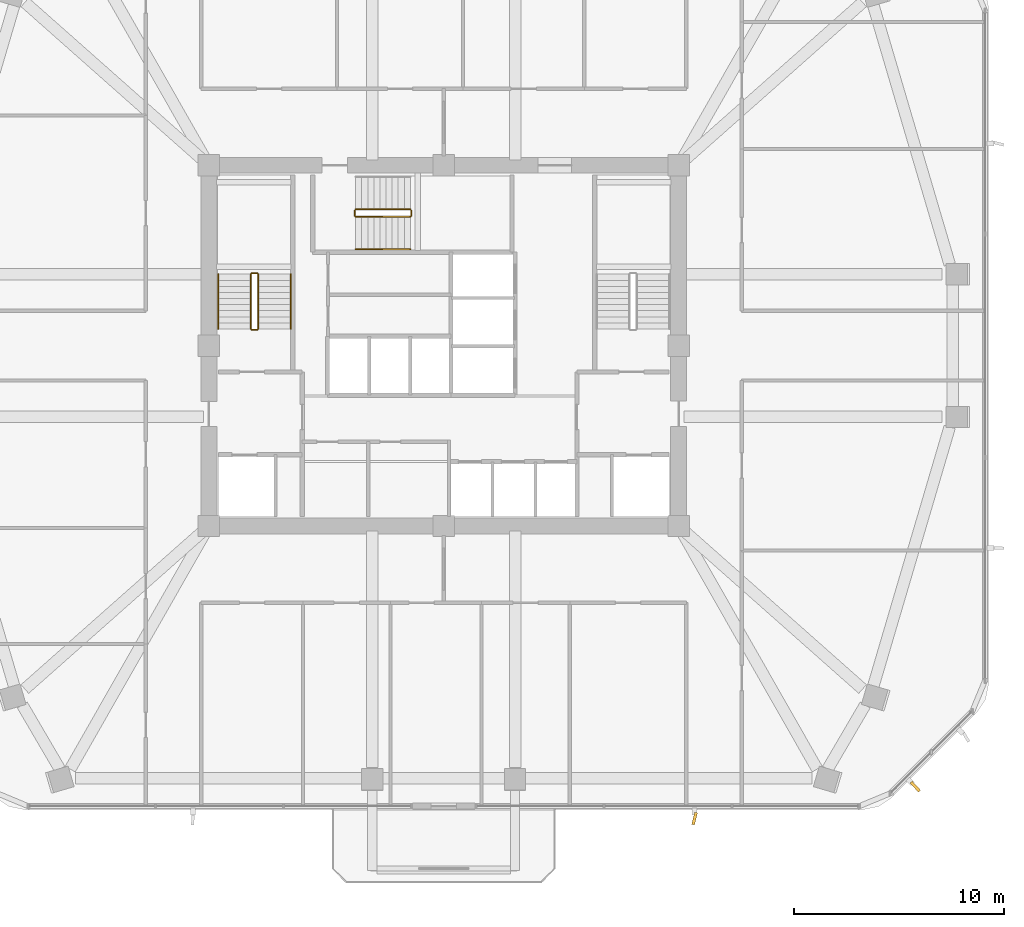
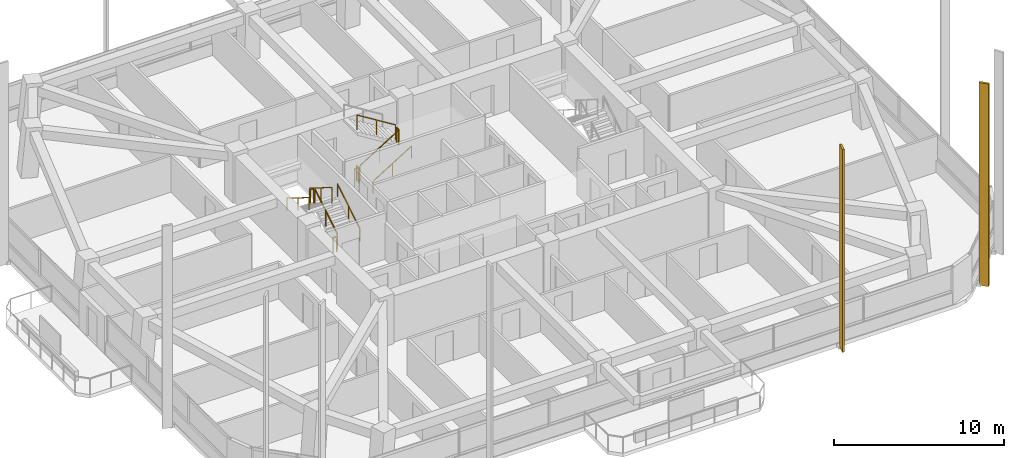
# One storey, part 13 of 15: 11 railings, 2 shading devices.
"""IFC4 building model written with IfcOpenShell, lengths in metres."""

import ifcopenshell
import ifcopenshell.guid

model = None  # the IFC model being written
_history = None  # IfcOwnerHistory: only IFC2X3 demands one
_inside = {}  # id of a spatial element -> (the spatial element, [elements in it])
_under = {}  # id of a project, library or spatial element -> (it, [spatial elements below it])
_declared = {}  # id of a project -> (the project, [libraries it declares])
_typed = {}  # id of a type object -> (the type object, [elements of that type])
_made_of = {}  # id of a material, layer set ... -> (it, [elements and type objects made of it])


def new_model(schema):
    """Start an empty IFC model of exactly this schema.

    Asked for "IFC4X3", IfcOpenShell would pick the latest addendum, in which some entities
    have other attributes; the version numbers below select the first issue.
    IFC2X3 requires an IfcOwnerHistory on every rooted entity: one is made here for all.
    """
    global model, _history
    if schema == "IFC4X3":
        model = ifcopenshell.file(schema_version=(4, 3, 0, 0))
    else:
        model = ifcopenshell.file(schema=schema)
    _inside.clear()
    _under.clear()
    _declared.clear()
    _typed.clear()
    _made_of.clear()
    _history = None
    if model.schema == "IFC2X3":
        org = make("IfcOrganization", Name="unknown")
        user = make(
            "IfcPersonAndOrganization",
            ThePerson=make("IfcPerson", FamilyName="unknown"),
            TheOrganization=org,
        )
        app = make(
            "IfcApplication",
            ApplicationDeveloper=org,
            Version="unknown",
            ApplicationFullName="unknown",
            ApplicationIdentifier="unknown",
        )
        _history = make(
            "IfcOwnerHistory",
            OwningUser=user,
            OwningApplication=app,
            ChangeAction="ADDED",
            CreationDate=0,
        )
    return model


def make(cls, **values):
    """One entity of the class cls with the attributes given. An attribute that is None is left unset."""
    return model.create_entity(
        cls, **{name: value for name, value in values.items() if value is not None}
    )


def rooted(cls, **values):
    """An entity with a GlobalId (a new one), such as an element, a storey or a relation."""
    return make(cls, GlobalId=ifcopenshell.guid.new(), OwnerHistory=_history, **values)


def si_unit(unit_type, name, prefix=None):
    """IfcSIUnit, for example si_unit("LENGTHUNIT", "METRE", prefix="MILLI")."""
    return make("IfcSIUnit", UnitType=unit_type, Prefix=prefix, Name=name)


def derived_unit(unit_type, elements):
    """IfcDerivedUnit: a product of units, each with its exponent."""
    return make(
        "IfcDerivedUnit",
        Elements=[
            make("IfcDerivedUnitElement", Unit=unit, Exponent=power)
            for unit, power in elements
        ],
        UnitType=unit_type,
    )


def assignment(units):
    """IfcUnitAssignment: the units of a project."""
    return None if units is None else make("IfcUnitAssignment", Units=units)


def point(xyz):
    """IfcCartesianPoint."""
    return None if xyz is None else make("IfcCartesianPoint", Coordinates=xyz)


def direction(xyz):
    """IfcDirection."""
    return None if xyz is None else make("IfcDirection", DirectionRatios=xyz)


def frame(location, z_axis=None, x_axis=None):
    """IfcAxis2Placement3D, a coordinate frame: its origin and axes. An axis left out is left unset."""
    return make(
        "IfcAxis2Placement3D",
        Location=point(location),
        Axis=direction(z_axis),
        RefDirection=direction(x_axis),
    )


def frame_2d(location, x_axis=None):
    """IfcAxis2Placement2D, a coordinate frame in the plane: its origin and x axis."""
    return make(
        "IfcAxis2Placement2D", Location=point(location), RefDirection=direction(x_axis)
    )


def origin():
    """The frame at (0, 0, 0) with its axes left unset."""
    return frame((0.0, 0.0, 0.0))


def origin_2d():
    """The frame at (0, 0) in the plane with its x axis left unset."""
    return frame_2d((0.0, 0.0))


def place(relative_to, where):
    """IfcLocalPlacement: puts the frame where relative to a parent placement (None: the world)."""
    return make(
        "IfcLocalPlacement", PlacementRelTo=relative_to, RelativePlacement=where
    )


def context(
    kind, dimensions, precision=None, world=None, true_north=None, identifier=None
):
    """IfcGeometricRepresentationContext, for example the 3D "Model" context."""
    return make(
        "IfcGeometricRepresentationContext",
        ContextIdentifier=identifier,
        ContextType=kind,
        CoordinateSpaceDimension=dimensions,
        Precision=precision,
        WorldCoordinateSystem=world,
        TrueNorth=true_north,
    )


def subcontext(parent, identifier, kind, view, scale=None):
    """IfcGeometricRepresentationSubContext, for example "Body" below "Model"."""
    return make(
        "IfcGeometricRepresentationSubContext",
        ContextIdentifier=identifier,
        ContextType=kind,
        ParentContext=parent,
        TargetScale=scale,
        TargetView=view,
    )


def project(units=None, contexts=None):
    """IfcProject with its units and contexts."""
    return rooted(
        "IfcProject",
        Name="project",
        RepresentationContexts=contexts,
        UnitsInContext=assignment(units),
    )


def spatial(cls, under=None, at=None, **own):
    """A site, building, storey or space (cls), placed at a placement, below another one or the project."""
    s = rooted(cls, ObjectPlacement=at, **own)
    if under is not None:
        _under.setdefault(under.id(), (under, []))[1].append(s)
    return s


def profile(cls, at=None, kind="AREA", **sizes):
    """A parametric profile (cls). Its sizes go by their IFC names, for example OverallWidth=200.0."""
    return make(cls, ProfileType=kind, Position=at, **sizes)


def rectangle(**sizes):
    """IfcRectangleProfileDef."""
    return profile("IfcRectangleProfileDef", **sizes)


def extrude(swept, where, along, depth):
    """IfcExtrudedAreaSolid: the profile swept, set in the frame where, extruded along a direction by depth."""
    return make(
        "IfcExtrudedAreaSolid",
        SweptArea=swept,
        Position=where,
        ExtrudedDirection=direction(along),
        Depth=depth,
    )


def shape(context_of_items, identifier, shape_type, items):
    """IfcShapeRepresentation: the items that make up one representation, for example the "Body"."""
    return make(
        "IfcShapeRepresentation",
        ContextOfItems=context_of_items,
        RepresentationIdentifier=identifier,
        RepresentationType=shape_type,
        Items=items,
    )


def material(Name=None, Category=None):
    """IfcMaterial."""
    return make("IfcMaterial", Name=Name, Category=Category)


def made_of(thing, what):
    """Note that an element or type object is made of a material, layer set ...; save() writes the relation."""
    if what is not None:
        _made_of.setdefault(what.id(), (what, []))[1].append(thing)
    return thing


def type_object(cls, material=None, **own):
    """A type object (cls), such as IfcWallType, which elements share."""
    return made_of(rooted(cls, **own), material)


def element(
    cls,
    number,
    at=None,
    inside=None,
    cuts=None,
    type_object=None,
    material=None,
    context=None,
    identifier="Body",
    shape_type=None,
    held_by="IfcProductDefinitionShape",
    body=None,
    shapes=None,
    **own,
):
    """One element of the class cls, such as IfcWall. Its Tag is "e" and its number.

    at: its placement. inside: the storey or other place that contains it. cuts: it is an
    opening in that element (IfcRelVoidsElement). A single representation is given by context,
    identifier, shape_type and body (its items); several are given by shapes. held_by: the class
    of the entity that holds the representations. save() writes the other relations.
    """
    e = rooted(cls, Tag="e%d" % number, ObjectPlacement=at, **own)
    if body is not None:
        shapes = [shape(context, identifier, shape_type, body)]
    if shapes is not None:
        e.Representation = make(held_by, Representations=shapes)
    if inside is not None:
        _inside.setdefault(inside.id(), (inside, []))[1].append(e)
    if cuts is not None:
        rooted(
            "IfcRelVoidsElement", RelatingBuildingElement=cuts, RelatedOpeningElement=e
        )
    if type_object is not None:
        _typed.setdefault(type_object.id(), (type_object, []))[1].append(e)
    return made_of(e, material)


def aggregate(whole, parts):
    """IfcRelAggregates: a whole, such as a stair, and the parts it consists of."""
    return rooted("IfcRelAggregates", RelatingObject=whole, RelatedObjects=parts)


def save(model, path):
    """Write the relations noted so far, then the file.

    IfcRelAggregates (storeys below a building ...), IfcRelContainedInSpatialStructure (elements
    in a storey), IfcRelDefinesByType, IfcRelAssociatesMaterial and IfcRelDeclares: one each for
    every whole, place, type object, material and project.
    """
    for whole, parts in _under.values():
        aggregate(whole, parts)
    for where, things in _inside.values():
        rooted(
            "IfcRelContainedInSpatialStructure",
            RelatedElements=things,
            RelatingStructure=where,
        )
    for kind, things in _typed.values():
        rooted("IfcRelDefinesByType", RelatedObjects=things, RelatingType=kind)
    for what, things in _made_of.values():
        rooted("IfcRelAssociatesMaterial", RelatedObjects=things, RelatingMaterial=what)
    for by, libraries in _declared.values():
        rooted("IfcRelDeclares", RelatingContext=by, RelatedDefinitions=libraries)
    model.write(path)


model = new_model("IFC4")

# Units and contexts
model_context = context("Model", 3, precision=1e-05, world=origin(), true_north=direction((0.0, 1.0)))
body_context = subcontext(model_context, "Body", "Model", "MODEL_VIEW")
ifc_project = project(units=[si_unit("LENGTHUNIT", "METRE"), si_unit("AREAUNIT", "SQUARE_METRE"), si_unit("VOLUMEUNIT", "CUBIC_METRE"), si_unit("PLANEANGLEUNIT", "RADIAN"), si_unit("MASSUNIT", "GRAM", prefix="KILO"), derived_unit("THERMALTRANSMITTANCEUNIT", [(si_unit("POWERUNIT", "WATT"), 1), (si_unit("LENGTHUNIT", "METRE"), -2), (si_unit("THERMODYNAMICTEMPERATUREUNIT", "KELVIN"), -1)])], contexts=[model_context])

# Site, building, storey
site_placement = place(None, origin())
site = spatial("IfcSite", under=ifc_project, at=site_placement, CompositionType="ELEMENT")
building_placement = place(site_placement, origin())
building = spatial("IfcBuilding", under=site, at=building_placement, Name="Koralith Skygarden Medical Center", CompositionType="ELEMENT")
storey_placement = place(building_placement, frame((0.0, 0.0, 99.179931640625)))
storey = spatial("IfcBuildingStorey", under=building, at=storey_placement, Name="L25", CompositionType="ELEMENT", Elevation=99.179931640625)

# Shading devices
ifc_material_1 = material(Name="Aluminium 6063-T6", Category="aluminium")
shading_device_type = type_object("IfcShadingDeviceType", Name="Limestone-Clad Solar Storm Fin 600", PredefinedType="USERDEFINED", material=ifc_material_1)
for number, where, z_axis, x_axis, name in (
    (1, (48.966064453125, 3.344970703125, -0.2001953125), (0.0, 0.0, 1.0), (-0.239380841177, -0.970925750445, 0.0), "L25 S Harmonic Solar Storm Fin 2"),
    (2, (59.490966796875, 4.8701171875, -0.2001953125), (0.0, 0.0, 1.0), (0.681308772642, -0.731996145018, 0.0), "L25 SE Harmonic Solar Storm Fin 1"),
):
    element("IfcShadingDevice", number, at=place(storey_placement, frame(where, z_axis=z_axis, x_axis=x_axis)), inside=storey, type_object=shading_device_type, Name=name, ObjectType="SOLAR FIN", PredefinedType="USERDEFINED", context=body_context, shape_type="SweptSolid", body=[
        extrude(rectangle(XDim=0.60009765625, YDim=0.139892578125, at=origin_2d()), origin(), (0.0, 0.0, 1.0), 14.550048828125),
    ])

# Railings
ifc_material_2 = material(Name="Steel ASTM A500 Grade C", Category="steel")
railing_type_1 = type_object("IfcRailingType", Name="Stair Flight Tubular Handrail 920", PredefinedType="HANDRAIL", material=ifc_material_2)
railing_1_placement = place(storey_placement, frame((29.699951171875, 26.699951171875, 0.18017578125)))
element("IfcRailing", 3, at=railing_1_placement, inside=storey, type_object=railing_type_1, Name="L25 ST1 stair handrail 1", PredefinedType="HANDRAIL", context=body_context, shape_type="SweptSolid", body=[
    extrude(rectangle(XDim=0.050048828125, YDim=0.050048828125, at=origin_2d()), frame((0.0, 0.001708984375, 0.89599609375), z_axis=(0.0, 0.849668407637, 0.527317358963), x_axis=(-1.0, 0.0, 0.0)), (0.0, 0.0, 1.0), 3.06787109375),
    extrude(rectangle(XDim=0.0419921875, YDim=0.0419921875, at=origin_2d()), origin(), (0.0, 0.0, 1.0), 0.867919921875),
    extrude(rectangle(XDim=0.0419921875, YDim=0.0419921875, at=origin_2d()), frame((0.0, 1.30517578125, 0.81005859375)), (0.0, 0.0, 1.0), 0.867919921875),
    extrude(rectangle(XDim=0.0419921875, YDim=0.0419921875, at=origin_2d()), frame((0.0, 2.610107421875, 1.619873046875)), (0.0, 0.0, 1.0), 0.867919921875),
])
railing_2_placement = place(storey_placement, frame((26.25, 29.31005859375, 1.97998046875)))
element("IfcRailing", 4, at=railing_2_placement, inside=storey, type_object=railing_type_1, Name="L25 ST1 stair handrail 2", PredefinedType="HANDRAIL", context=body_context, shape_type="SweptSolid", body=[
    extrude(rectangle(XDim=0.050048828125, YDim=0.050048828125, at=origin_2d()), frame((0.0, -0.001708984375, 0.89599609375), z_axis=(0.0, -0.849632798774, 0.527374731332), x_axis=(1.0, 0.0, 0.0)), (0.0, 0.0, 1.0), 3.068115234375),
    extrude(rectangle(XDim=0.0419921875, YDim=0.0419921875, at=origin_2d()), origin(), (0.0, 0.0, 1.0), 0.867919921875),
    extrude(rectangle(XDim=0.0419921875, YDim=0.0419921875, at=origin_2d()), frame((0.0, -1.30517578125, 0.81005859375)), (0.0, 0.0, 1.0), 0.867919921875),
    extrude(rectangle(XDim=0.0419921875, YDim=0.0419921875, at=origin_2d()), frame((0.0, -2.610107421875, 1.6201171875)), (0.0, 0.0, 1.0), 0.867919921875),
])
railing_3_placement = place(storey_placement, frame((32.800048828125, 30.5, 0.18017578125)))
element("IfcRailing", 5, at=railing_3_placement, inside=storey, type_object=railing_type_1, Name="L25 ST3 stair handrail 1", PredefinedType="HANDRAIL", context=body_context, shape_type="SweptSolid", body=[
    extrude(rectangle(XDim=0.050048828125, YDim=0.050048828125, at=origin_2d()), frame((0.001708984375, 0.0, 0.89599609375), z_axis=(0.849646306263, 0.0, 0.527352969322), x_axis=(0.0, 1.0, 0.0)), (0.0, 0.0, 1.0), 3.067626953125),
    extrude(rectangle(XDim=0.0419921875, YDim=0.0419921875, at=origin_2d()), origin(), (0.0, 0.0, 1.0), 0.867919921875),
    extrude(rectangle(XDim=0.0419921875, YDim=0.0419921875, at=origin_2d()), frame((1.304931640625, 0.0, 0.81005859375)), (0.0, 0.0, 1.0), 0.867919921875),
    extrude(rectangle(XDim=0.0419921875, YDim=0.0419921875, at=origin_2d()), frame((2.60986328125, 0.0, 1.619873046875)), (0.0, 0.0, 1.0), 0.867919921875),
])
railing_type_2 = type_object("IfcRailingType", Name="Stair Well Safety Guardrail 1100", PredefinedType="GUARDRAIL", material=ifc_material_2)
railing_4_placement = place(storey_placement, frame((28.14990234375, 26.699951171875, 0.18017578125)))
element("IfcRailing", 6, at=railing_4_placement, inside=storey, type_object=railing_type_2, Name="L25 ST1 stair guard 1", PredefinedType="GUARDRAIL", context=body_context, shape_type="SweptSolid", body=[
    extrude(rectangle(XDim=0.050048828125, YDim=0.050048828125, at=origin_2d()), frame((0.0, 0.001708984375, 1.076171875), z_axis=(0.0, 0.849668407637, 0.527317358963), x_axis=(-1.0, 0.0, 0.0)), (0.0, 0.0, 1.0), 3.06787109375),
    extrude(rectangle(XDim=0.0419921875, YDim=0.0419921875, at=origin_2d()), origin(), (0.0, 0.0, 1.0), 1.048095703125),
    extrude(rectangle(XDim=0.0419921875, YDim=0.0419921875, at=origin_2d()), frame((0.0, 1.30517578125, 0.81005859375)), (0.0, 0.0, 1.0), 1.048095703125),
    extrude(rectangle(XDim=0.0419921875, YDim=0.0419921875, at=origin_2d()), frame((0.0, 2.610107421875, 1.619873046875)), (0.0, 0.0, 1.0), 1.048095703125),
])
railing_5_placement = place(storey_placement, frame((28.10009765625, 29.360107421875, 1.800048828125)))
element("IfcRailing", 7, at=railing_5_placement, inside=storey, type_object=railing_type_2, Name="L25 ST1 stair guard 2", PredefinedType="GUARDRAIL", context=body_context, shape_type="SweptSolid", body=[
    extrude(rectangle(XDim=0.050048828125, YDim=0.050048828125, at=origin_2d()), frame((-0.001953125, 0.0, 1.0751953125), z_axis=(-1.0, 0.0, 0.0), x_axis=(0.0, -1.0, 0.0)), (0.0, 0.0, 1.0), 0.24609375),
    extrude(rectangle(XDim=0.0419921875, YDim=0.0419921875, at=origin_2d()), origin(), (0.0, 0.0, 1.0), 1.048095703125),
    extrude(rectangle(XDim=0.0419921875, YDim=0.0419921875, at=origin_2d()), frame((-0.25, 0.0, 0.0)), (0.0, 0.0, 1.0), 1.048095703125),
])
railing_6_placement = place(storey_placement, frame((27.800048828125, 29.31005859375, 1.97998046875)))
element("IfcRailing", 8, at=railing_6_placement, inside=storey, type_object=railing_type_2, Name="L25 ST1 stair guard 3", PredefinedType="GUARDRAIL", context=body_context, shape_type="SweptSolid", body=[
    extrude(rectangle(XDim=0.050048828125, YDim=0.050048828125, at=origin_2d()), frame((0.0, -0.001708984375, 1.076171875), z_axis=(0.0, -0.849632798774, 0.527374731332), x_axis=(1.0, 0.0, 0.0)), (0.0, 0.0, 1.0), 3.068115234375),
    extrude(rectangle(XDim=0.0419921875, YDim=0.0419921875, at=origin_2d()), origin(), (0.0, 0.0, 1.0), 1.048095703125),
    extrude(rectangle(XDim=0.0419921875, YDim=0.0419921875, at=origin_2d()), frame((0.0, -1.30517578125, 0.81005859375)), (0.0, 0.0, 1.0), 1.048095703125),
    extrude(rectangle(XDim=0.0419921875, YDim=0.0419921875, at=origin_2d()), frame((0.0, -2.610107421875, 1.6201171875)), (0.0, 0.0, 1.0), 1.048095703125),
])
railing_7_placement = place(storey_placement, frame((28.10009765625, 26.64990234375, 0.0)))
element("IfcRailing", 9, at=railing_7_placement, inside=storey, type_object=railing_type_2, Name="L25 ST1 stair guard 4", PredefinedType="GUARDRAIL", context=body_context, shape_type="SweptSolid", body=[
    extrude(rectangle(XDim=0.050048828125, YDim=0.050048828125, at=origin_2d()), frame((-0.001953125, 0.0, 1.0751953125), z_axis=(-1.0, 0.0, 0.0), x_axis=(0.0, -1.0, 0.0)), (0.0, 0.0, 1.0), 0.24609375),
    extrude(rectangle(XDim=0.0419921875, YDim=0.0419921875, at=origin_2d()), origin(), (0.0, 0.0, 1.0), 1.048095703125),
    extrude(rectangle(XDim=0.0419921875, YDim=0.0419921875, at=origin_2d()), frame((-0.25, 0.0, 0.0)), (0.0, 0.0, 1.0), 1.048095703125),
])
railing_8_placement = place(storey_placement, frame((32.800048828125, 32.050048828125, 0.18017578125)))
element("IfcRailing", 10, at=railing_8_placement, inside=storey, type_object=railing_type_2, Name="L25 ST3 stair guard 1", PredefinedType="GUARDRAIL", context=body_context, shape_type="SweptSolid", body=[
    extrude(rectangle(XDim=0.050048828125, YDim=0.050048828125, at=origin_2d()), frame((0.001708984375, 0.0, 1.076171875), z_axis=(0.849646306263, 0.0, 0.527352969322), x_axis=(0.0, 1.0, 0.0)), (0.0, 0.0, 1.0), 3.067626953125),
    extrude(rectangle(XDim=0.0419921875, YDim=0.0419921875, at=origin_2d()), origin(), (0.0, 0.0, 1.0), 1.048095703125),
    extrude(rectangle(XDim=0.0419921875, YDim=0.0419921875, at=origin_2d()), frame((1.304931640625, 0.0, 0.81005859375)), (0.0, 0.0, 1.0), 1.048095703125),
    extrude(rectangle(XDim=0.0419921875, YDim=0.0419921875, at=origin_2d()), frame((2.60986328125, 0.0, 1.619873046875)), (0.0, 0.0, 1.0), 1.048095703125),
])
railing_9_placement = place(storey_placement, frame((35.4599609375, 32.10009765625, 1.800048828125)))
element("IfcRailing", 11, at=railing_9_placement, inside=storey, type_object=railing_type_2, Name="L25 ST3 stair guard 2", PredefinedType="GUARDRAIL", context=body_context, shape_type="SweptSolid", body=[
    extrude(rectangle(XDim=0.050048828125, YDim=0.050048828125, at=origin_2d()), frame((0.0, 0.001953125, 1.0751953125), z_axis=(0.0, 1.0, 0.0), x_axis=(-1.0, 0.0, 0.0)), (0.0, 0.0, 1.0), 0.24609375),
    extrude(rectangle(XDim=0.0419921875, YDim=0.0419921875, at=origin_2d()), origin(), (0.0, 0.0, 1.0), 1.048095703125),
    extrude(rectangle(XDim=0.0419921875, YDim=0.0419921875, at=origin_2d()), frame((0.0, 0.25, 0.0)), (0.0, 0.0, 1.0), 1.048095703125),
])
railing_10_placement = place(storey_placement, frame((35.409912109375, 32.39990234375, 1.97998046875)))
element("IfcRailing", 12, at=railing_10_placement, inside=storey, type_object=railing_type_2, Name="L25 ST3 stair guard 3", PredefinedType="GUARDRAIL", context=body_context, shape_type="SweptSolid", body=[
    extrude(rectangle(XDim=0.050048828125, YDim=0.050048828125, at=origin_2d()), frame((-0.001708984375, 0.0, 1.076171875), z_axis=(-0.849610693518, 0.0, 0.52741034258), x_axis=(0.0, -1.0, 0.0)), (0.0, 0.0, 1.0), 3.06787109375),
    extrude(rectangle(XDim=0.0419921875, YDim=0.0419921875, at=origin_2d()), origin(), (0.0, 0.0, 1.0), 1.048095703125),
    extrude(rectangle(XDim=0.0419921875, YDim=0.0419921875, at=origin_2d()), frame((-1.304931640625, 0.0, 0.81005859375)), (0.0, 0.0, 1.0), 1.048095703125),
    extrude(rectangle(XDim=0.0419921875, YDim=0.0419921875, at=origin_2d()), frame((-2.60986328125, 0.0, 1.6201171875)), (0.0, 0.0, 1.0), 1.048095703125),
])
railing_11_placement = place(storey_placement, frame((32.75, 32.10009765625, 0.0)))
element("IfcRailing", 13, at=railing_11_placement, inside=storey, type_object=railing_type_2, Name="L25 ST3 stair guard 4", PredefinedType="GUARDRAIL", context=body_context, shape_type="SweptSolid", body=[
    extrude(rectangle(XDim=0.050048828125, YDim=0.050048828125, at=origin_2d()), frame((0.0, 0.001953125, 1.0751953125), z_axis=(0.0, 1.0, 0.0), x_axis=(-1.0, 0.0, 0.0)), (0.0, 0.0, 1.0), 0.24609375),
    extrude(rectangle(XDim=0.0419921875, YDim=0.0419921875, at=origin_2d()), origin(), (0.0, 0.0, 1.0), 1.048095703125),
    extrude(rectangle(XDim=0.0419921875, YDim=0.0419921875, at=origin_2d()), frame((0.0, 0.25, 0.0)), (0.0, 0.0, 1.0), 1.048095703125),
])

save(model, "model.ifc")
